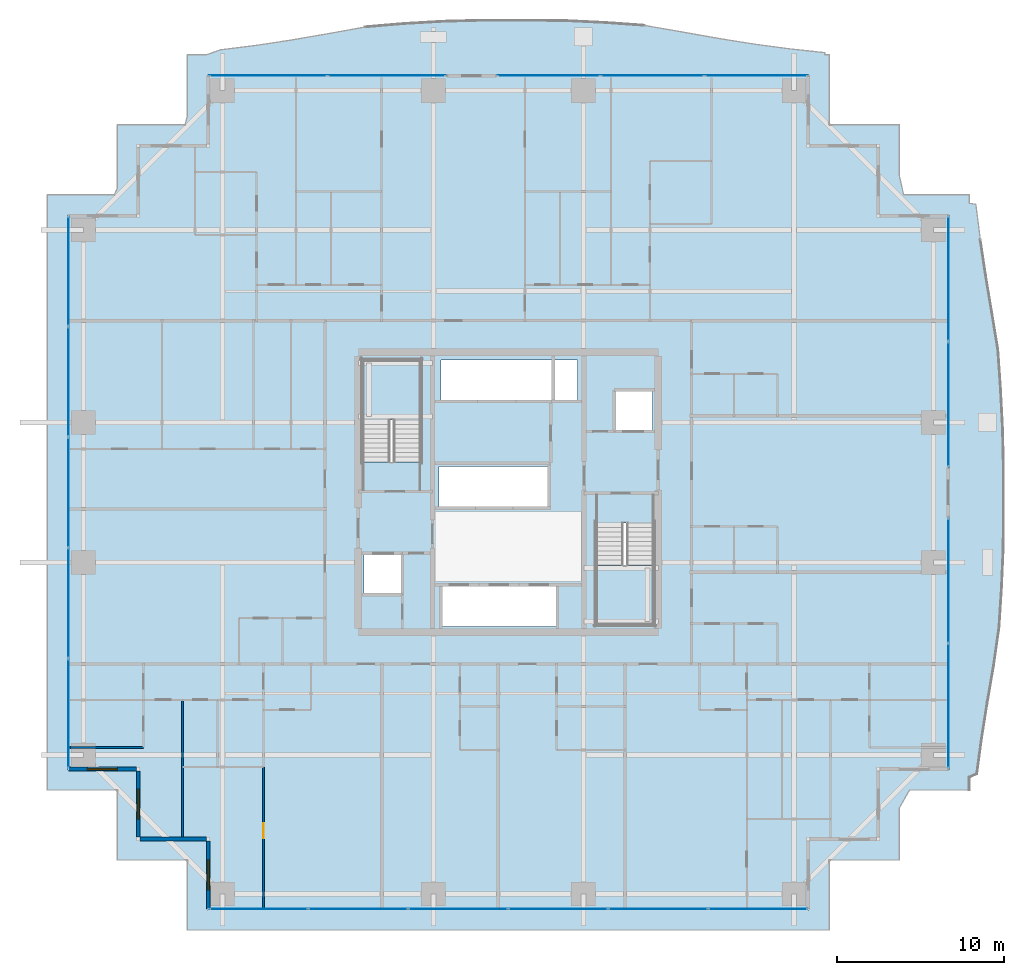
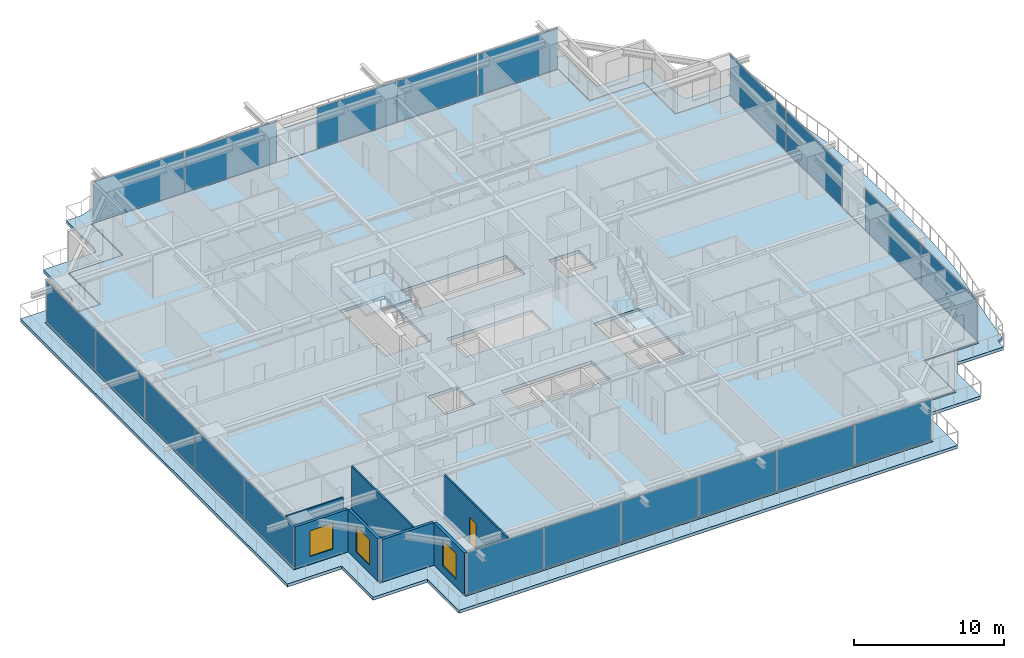
# One storey, part 26 of 38: 20 plates, 7 walls, 4 slabs, 3 windows, 1 door, 4 openings, 8 elements without a shape of their own.
"""IFC4 building model written with IfcOpenShell, lengths in metres."""

from ifc_helpers import new_model, si_unit, direction, frame, frame_2d, origin, origin_2d, place, context, subcontext, project, spatial, polyline, rectangle, outline, extrude, source, transform, mapped, material, layer, layer_set, type_object, element, fill, aggregate, save


model = new_model("IFC4")

# Units and contexts
model_context = context("Model", 3, precision=1e-05, world=origin(), true_north=direction((0.0, 1.0)))
body_context = subcontext(model_context, "Body", "Model", "MODEL_VIEW")
ifc_project = project(units=[si_unit("LENGTHUNIT", "METRE"), si_unit("AREAUNIT", "SQUARE_METRE"), si_unit("VOLUMEUNIT", "CUBIC_METRE"), si_unit("PLANEANGLEUNIT", "RADIAN"), si_unit("MASSUNIT", "GRAM", prefix="KILO")], contexts=[model_context])

# Site, building, storey
site_placement = place(None, origin())
site = spatial("IfcSite", under=ifc_project, at=site_placement, CompositionType="ELEMENT")
building_placement = place(site_placement, origin())
building = spatial("IfcBuilding", under=site, at=building_placement, Name="Serunith Strait Residences", CompositionType="ELEMENT")
storey_placement = place(building_placement, frame((0.0, 0.0, 67.949951171875)))
storey = spatial("IfcBuildingStorey", under=building, at=storey_placement, Name="L16", CompositionType="ELEMENT", Elevation=67.949951171875)

# Slab
ifc_material_1 = material(Name="Concrete C50/60", Category="concrete")
ifc_layer_1 = layer(ifc_material_1, 0.239990234375, Name="Concrete C50/60")
ifc_layer_set_1 = layer_set([ifc_layer_1], Name="Concrete C50/60")
slab_type_1 = type_object("IfcSlabType", Name="SLB-BALC-240", PredefinedType="FLOOR", material=ifc_layer_set_1)
slab_1_placement = place(storey_placement, frame((0.0, 0.0, -0.2900390625)))
element("IfcSlab", 1, at=slab_1_placement, inside=storey, type_object=slab_type_1, Name="L16 Planted Vertical-Forest Balcony Slab", PredefinedType="FLOOR", context=body_context, shape_type="SweptSolid", body=[
    extrude(outline(polyline([(13.003173828125, 47.260009765625), (13.139892578125, 47.773681640625), (13.139892578125, 51.4599609375), (14.3076171875, 51.4599609375), (15.1240234375, 51.751220703125), (17.247802734375, 52.017822265625), (19.389404296875, 52.343017578125), (21.56689453125, 52.71875), (23.800048828125, 53.12158203125), (26.1474609375, 53.322265625), (28.5380859375, 53.45751953125), (30.954833984375, 53.52001953125), (33.3828125, 53.52001953125), (35.80517578125, 53.497314453125), (38.20556640625, 53.382080078125), (40.57177734375, 53.21728515625), (42.82470703125, 52.8271484375), (45.01123046875, 52.43798828125), (47.15673828125, 52.095703125), (49.280517578125, 51.811279296875), (51.397216796875, 51.5849609375), (51.39599609375, 51.4599609375), (51.659912109375, 51.4599609375), (51.659912109375, 47.260009765625), (55.860107421875, 47.260009765625), (55.860107421875, 44.205322265625), (56.12060546875, 43.06005859375), (60.06005859375, 43.06005859375), (60.06005859375, 42.547607421875), (60.45166015625, 42.484375), (60.72509765625, 40.35498046875), (61.0498046875, 38.20458984375), (61.415771484375, 36.016845703125), (61.781982421875, 33.769775390625), (61.943603515625, 31.420166015625), (62.06640625, 29.039306640625), (62.1201171875, 26.63623046875), (62.1201171875, 24.223388671875), (62.103515625, 21.815185546875), (61.999755859375, 19.42578125), (61.85009765625, 17.06591796875), (61.522216796875, 14.7939453125), (61.145751953125, 12.596435546875), (60.8056640625, 10.44140625), (60.515869140625, 8.310791015625), (60.06005859375, 8.10302734375), (60.06005859375, 7.340087890625), (56.477294921875, 7.340087890625), (55.860107421875, 6.26220703125), (55.860107421875, 3.139892578125), (51.659912109375, 3.139892578125), (51.659912109375, -1.06005859375), (13.139892578125, -1.06005859375), (13.139892578125, 3.139892578125), (8.93994140625, 3.139892578125), (8.93994140625, 7.340087890625), (4.739990234375, 7.340087890625), (4.739990234375, 43.06005859375), (8.7587890625, 43.06005859375), (8.93994140625, 43.457763671875), (8.93994140625, 47.260009765625), (13.003173828125, 47.260009765625)]), holes=[polyline([(50.455078125, 0.14501953125), (50.455078125, 4.344970703125), (54.655029296875, 4.344970703125), (54.655029296875, 8.544921875), (58.85498046875, 8.544921875), (58.85498046875, 41.85498046875), (54.655029296875, 41.85498046875), (54.655029296875, 46.054931640625), (50.455078125, 46.054931640625), (50.455078125, 50.2548828125), (14.344970703125, 50.2548828125), (14.344970703125, 46.054931640625), (10.14501953125, 46.054931640625), (10.14501953125, 41.85498046875), (5.945068359375, 41.85498046875), (5.945068359375, 8.544921875), (10.14501953125, 8.544921875), (10.14501953125, 4.344970703125), (14.344970703125, 4.344970703125), (14.344970703125, 0.14501953125), (50.455078125, 0.14501953125)])]), origin(), (0.0, 0.0, 1.0), 0.239990234375),
])

# Stair, slab
stair_type_1 = type_object("IfcStairType", Name="STR-CORE-1", PredefinedType="HALF_TURN_STAIR", material=ifc_material_1)
stair_1_placement = place(storey_placement, origin())
stair_1 = element("IfcStair", 2, at=stair_1_placement, inside=storey, type_object=stair_type_1, Name="L16 Protected Escape Stair ST-1", PredefinedType="HALF_TURN_STAIR")
ifc_layer_2 = layer(ifc_material_1, 0.199951171875, Name="Concrete C50/60")
ifc_layer_set_2 = layer_set([ifc_layer_2], Name="Concrete C50/60")
slab_type_2 = type_object("IfcSlabType", Name="SLB-LAND-200", PredefinedType="LANDING", material=ifc_layer_set_2)
slab_2_placement = place(storey_placement, frame((0.0, 0.0, 1.675048828125)))
slab_2 = element("IfcSlab", 3, at=slab_2_placement, type_object=slab_type_2, Name="ST-1 landing 1", PredefinedType="LANDING", context=body_context, shape_type="SweptSolid", body=[
    extrude(outline(polyline([(27.14990234375, 29.550048828125), (27.14990234375, 33.14990234375), (23.64990234375, 33.14990234375), (23.64990234375, 29.550048828125), (27.14990234375, 29.550048828125)])), origin(), (0.0, 0.0, 1.0), 0.199951171875),
])
aggregate(stair_1, [slab_2])

stair_type_2 = type_object("IfcStairType", Name="STR-CORE-2", PredefinedType="HALF_TURN_STAIR", material=ifc_material_1)
stair_2_placement = place(storey_placement, origin())
stair_2 = element("IfcStair", 4, at=stair_2_placement, inside=storey, type_object=stair_type_2, Name="L16 Protected Escape Stair ST-2", PredefinedType="HALF_TURN_STAIR")
slab_3_placement = place(storey_placement, frame((0.0, 0.0, 1.675048828125)))
slab_3 = element("IfcSlab", 5, at=slab_3_placement, type_object=slab_type_2, Name="ST-2 landing 1", PredefinedType="LANDING", context=body_context, shape_type="SweptSolid", body=[
    extrude(outline(polyline([(37.64990234375, 20.85009765625), (37.64990234375, 17.25), (41.14990234375, 17.25), (41.14990234375, 20.85009765625), (37.64990234375, 20.85009765625)])), origin(), (0.0, 0.0, 1.0), 0.199951171875),
])
aggregate(stair_2, [slab_3])

# Slab
ifc_material_2 = material(Name="Concrete C60/75", Category="concrete")
ifc_layer_3 = layer(ifc_material_2, 0.260009765625, Name="Concrete C60/75")
ifc_layer_set_3 = layer_set([ifc_layer_3], Name="Concrete C60/75")
slab_type_3 = type_object("IfcSlabType", Name="SLB-TWR-260-Z1", PredefinedType="FLOOR", material=ifc_layer_set_3)
slab_4_placement = place(storey_placement, frame((0.0, 0.0, -0.260009765625)))
element("IfcSlab", 6, at=slab_4_placement, inside=storey, type_object=slab_type_3, Name="L16 Structural Floor Plate", PredefinedType="FLOOR", context=body_context, shape_type="SweptSolid", body=[
    extrude(outline(polyline([(14.39990234375, 4.39990234375), (10.199951171875, 4.39990234375), (10.199951171875, 8.60009765625), (6.0, 8.60009765625), (6.0, 41.800048828125), (10.199951171875, 41.800048828125), (10.199951171875, 46.0), (14.39990234375, 46.0), (14.39990234375, 50.199951171875), (50.39990234375, 50.199951171875), (50.39990234375, 46.0), (54.60009765625, 46.0), (54.60009765625, 41.800048828125), (58.800048828125, 41.800048828125), (58.800048828125, 8.60009765625), (54.60009765625, 8.60009765625), (54.60009765625, 4.39990234375), (50.39990234375, 4.39990234375), (50.39990234375, 0.199951171875), (14.39990234375, 0.199951171875), (14.39990234375, 4.39990234375)]), holes=[polyline([(41.14990234375, 17.25), (41.14990234375, 23.3701171875), (37.64990234375, 23.3701171875), (37.64990234375, 17.25), (41.14990234375, 17.25)]), polyline([(41.050048828125, 31.25), (38.75, 31.25), (38.75, 28.85009765625), (41.050048828125, 28.85009765625), (41.050048828125, 31.25)]), polyline([(36.550048828125, 33.14990234375), (28.35009765625, 33.14990234375), (28.35009765625, 30.64990234375), (36.550048828125, 30.64990234375), (36.550048828125, 33.14990234375)]), polyline([(28.35009765625, 19.64990234375), (28.35009765625, 17.14990234375), (35.35009765625, 17.14990234375), (35.35009765625, 19.64990234375), (28.35009765625, 19.64990234375)]), polyline([(34.85009765625, 26.75), (28.25, 26.75), (28.25, 24.25), (34.85009765625, 24.25), (34.85009765625, 26.75)]), polyline([(23.64990234375, 33.14990234375), (23.64990234375, 27.030029296875), (27.14990234375, 27.030029296875), (27.14990234375, 33.14990234375), (23.64990234375, 33.14990234375)]), polyline([(26.050048828125, 21.550048828125), (23.75, 21.550048828125), (23.75, 19.14990234375), (26.050048828125, 19.14990234375), (26.050048828125, 21.550048828125)])]), origin(), (0.0, 0.0, 1.0), 0.260009765625),
])

# Curtain wall, plates
ifc_material_3 = material(Name="Pale-Champagne Anodised Aluminium", Category="aluminium")
ifc_layer_4 = layer(ifc_material_3, 0.199951171875, Name="Pale-Champagne Anodised Aluminium")
ifc_layer_set_4 = layer_set([ifc_layer_4], Name="Pale-Champagne Anodised Aluminium")
curtain_wall_type = type_object("IfcCurtainWallType", Name="CW-SYS1", PredefinedType="NOTDEFINED", material=ifc_layer_set_4)
curtain_wall_1_placement = place(storey_placement, origin())
curtain_wall_1 = element("IfcCurtainWall", 7, at=curtain_wall_1_placement, inside=storey, type_object=curtain_wall_type, Name="L16 S Unitised Fritted Curtain Wall", PredefinedType="NOTDEFINED")
ifc_material_4 = material(Name="Ceramic-Fritted Low-E Double Glazing 28mm", Category="glass")
ifc_layer_5 = layer(ifc_material_4, 0.028076171875, Name="Ceramic-Fritted Low-E Double Glazing 28mm")
ifc_layer_set_5 = layer_set([ifc_layer_5], Name="Ceramic-Fritted Low-E Double Glazing 28mm")
plate_type = type_object("IfcPlateType", Name="CW-SYS1-PNL", PredefinedType="CURTAIN_PANEL", material=ifc_layer_set_5)
shared_shape_1 = source(origin(), body_context, "Body", "SweptSolid", [
    extrude(rectangle(XDim=5.89501953125, YDim=0.028076171875, at=origin_2d()), origin(), (0.0, 0.0, 1.0), 3.35498046875),
])
plate_1_placement = place(storey_placement, frame((17.41748046875, 0.199951171875, 0.06005859375), z_axis=(0.0, 0.0, 1.0), x_axis=(1.0, 0.0, 0.0)))
plate_1 = element("IfcPlate", 8, at=plate_1_placement, type_object=plate_type, Name="CW-1 panel 1.1", PredefinedType="CURTAIN_PANEL", context=body_context, shape_type="MappedRepresentation", body=[
    mapped(shared_shape_1, transform((0.0, 0.0, 0.0), scale=1.0)),
])
plate_2_placement = place(storey_placement, frame((47.382568359375, 0.199951171875, 0.06005859375), z_axis=(0.0, 0.0, 1.0), x_axis=(1.0, 0.0, 0.0)))
plate_2 = element("IfcPlate", 9, at=plate_2_placement, type_object=plate_type, Name="CW-1 panel 6.1", PredefinedType="CURTAIN_PANEL", context=body_context, shape_type="MappedRepresentation", body=[
    mapped(shared_shape_1, transform((0.0, 0.0, 0.0), scale=1.0)),
])
shared_shape_2 = source(origin(), body_context, "Body", "SweptSolid", [
    extrude(rectangle(XDim=5.929931640625, YDim=0.028076171875, at=origin_2d()), origin(), (0.0, 0.0, 1.0), 3.35498046875),
])
plate_3_placement = place(storey_placement, frame((23.39990234375, 0.199951171875, 0.06005859375), z_axis=(0.0, 0.0, 1.0), x_axis=(1.0, 0.0, 0.0)))
plate_3 = element("IfcPlate", 10, at=plate_3_placement, type_object=plate_type, Name="CW-1 panel 2.1", PredefinedType="CURTAIN_PANEL", context=body_context, shape_type="MappedRepresentation", body=[
    mapped(shared_shape_2, transform((0.0, 0.0, 0.0), scale=1.0)),
])
plate_4_placement = place(storey_placement, frame((29.39990234375, 0.199951171875, 0.06005859375), z_axis=(0.0, 0.0, 1.0), x_axis=(1.0, 0.0, 0.0)))
plate_4 = element("IfcPlate", 11, at=plate_4_placement, type_object=plate_type, Name="CW-1 panel 3.1", PredefinedType="CURTAIN_PANEL", context=body_context, shape_type="MappedRepresentation", body=[
    mapped(shared_shape_2, transform((0.0, 0.0, 0.0), scale=1.0)),
])
plate_5_placement = place(storey_placement, frame((35.39990234375, 0.199951171875, 0.06005859375), z_axis=(0.0, 0.0, 1.0), x_axis=(1.0, 0.0, 0.0)))
plate_5 = element("IfcPlate", 12, at=plate_5_placement, type_object=plate_type, Name="CW-1 panel 4.1", PredefinedType="CURTAIN_PANEL", context=body_context, shape_type="MappedRepresentation", body=[
    mapped(shared_shape_2, transform((0.0, 0.0, 0.0), scale=1.0)),
])
plate_6_placement = place(storey_placement, frame((41.39990234375, 0.199951171875, 0.06005859375), z_axis=(0.0, 0.0, 1.0), x_axis=(1.0, 0.0, 0.0)))
plate_6 = element("IfcPlate", 13, at=plate_6_placement, type_object=plate_type, Name="CW-1 panel 5.1", PredefinedType="CURTAIN_PANEL", context=body_context, shape_type="MappedRepresentation", body=[
    mapped(shared_shape_2, transform((0.0, 0.0, 0.0), scale=1.0)),
])
aggregate(curtain_wall_1, [plate_1, plate_3, plate_4, plate_5, plate_6, plate_2])

curtain_wall_2_placement = place(storey_placement, origin())
curtain_wall_2 = element("IfcCurtainWall", 14, at=curtain_wall_2_placement, inside=storey, type_object=curtain_wall_type, Name="L16 E Unitised Fritted Curtain Wall", PredefinedType="NOTDEFINED")
shared_shape_3 = source(origin(), body_context, "Body", "SweptSolid", [
    extrude(rectangle(XDim=7.445068359375, YDim=0.028076171875, at=origin_2d()), origin(), (0.0, 0.0, 1.0), 3.35498046875),
])
plate_7_placement = place(storey_placement, frame((58.800048828125, 12.392578125, 0.06005859375), z_axis=(0.0, 0.0, 1.0), x_axis=(0.0, 1.0, 0.0)))
plate_7 = element("IfcPlate", 15, at=plate_7_placement, type_object=plate_type, Name="CW-1 panel 1.1", PredefinedType="CURTAIN_PANEL", context=body_context, shape_type="MappedRepresentation", body=[
    mapped(shared_shape_3, transform((0.0, 0.0, 0.0), scale=1.0)),
])
plate_8_placement = place(storey_placement, frame((58.800048828125, 19.907470703125, 0.06005859375), z_axis=(0.0, 0.0, 1.0), x_axis=(0.0, 1.0, 0.0)))
plate_8 = element("IfcPlate", 16, at=plate_8_placement, type_object=plate_type, Name="CW-1 panel 2.1", PredefinedType="CURTAIN_PANEL", context=body_context, shape_type="MappedRepresentation", body=[
    mapped(shared_shape_3, transform((0.0, 0.0, 0.0), scale=1.0)),
])
aggregate(curtain_wall_2, [plate_7, plate_8])

curtain_wall_3_placement = place(storey_placement, origin())
curtain_wall_3 = element("IfcCurtainWall", 17, at=curtain_wall_3_placement, inside=storey, type_object=curtain_wall_type, Name="L16 E Unitised Fritted Curtain Wall", PredefinedType="NOTDEFINED")
plate_9_placement = place(storey_placement, frame((58.800048828125, 30.492431640625, 0.06005859375), z_axis=(0.0, 0.0, 1.0), x_axis=(0.0, 1.0, 0.0)))
plate_9 = element("IfcPlate", 18, at=plate_9_placement, type_object=plate_type, Name="CW-1 panel 1.1", PredefinedType="CURTAIN_PANEL", context=body_context, shape_type="MappedRepresentation", body=[
    mapped(shared_shape_3, transform((0.0, 0.0, 0.0), scale=1.0)),
])
plate_10_placement = place(storey_placement, frame((58.800048828125, 38.007568359375, 0.06005859375), z_axis=(0.0, 0.0, 1.0), x_axis=(0.0, 1.0, 0.0)))
plate_10 = element("IfcPlate", 19, at=plate_10_placement, type_object=plate_type, Name="CW-1 panel 2.1", PredefinedType="CURTAIN_PANEL", context=body_context, shape_type="MappedRepresentation", body=[
    mapped(shared_shape_3, transform((0.0, 0.0, 0.0), scale=1.0)),
])
aggregate(curtain_wall_3, [plate_9, plate_10])

curtain_wall_4_placement = place(storey_placement, origin())
curtain_wall_4 = element("IfcCurtainWall", 20, at=curtain_wall_4_placement, inside=storey, type_object=curtain_wall_type, Name="L16 W Unitised Fritted Curtain Wall", PredefinedType="NOTDEFINED")
shared_shape_4 = source(origin(), body_context, "Body", "SweptSolid", [
    extrude(rectangle(XDim=6.534912109375, YDim=0.028076171875, at=origin_2d()), origin(), (0.0, 0.0, 1.0), 3.35498046875),
])
plate_11_placement = place(storey_placement, frame((6.0, 38.46240234375, 0.06005859375), z_axis=(0.0, 0.0, 1.0), x_axis=(0.0, -1.0, 0.0)))
plate_11 = element("IfcPlate", 21, at=plate_11_placement, type_object=plate_type, Name="CW-1 panel 1.1", PredefinedType="CURTAIN_PANEL", context=body_context, shape_type="MappedRepresentation", body=[
    mapped(shared_shape_4, transform((0.0, 0.0, 0.0), scale=1.0)),
])
plate_12_placement = place(storey_placement, frame((6.0, 11.9375, 0.06005859375), z_axis=(0.0, 0.0, 1.0), x_axis=(0.0, -1.0, 0.0)))
plate_12 = element("IfcPlate", 22, at=plate_12_placement, type_object=plate_type, Name="CW-1 panel 5.1", PredefinedType="CURTAIN_PANEL", context=body_context, shape_type="MappedRepresentation", body=[
    mapped(shared_shape_4, transform((0.0, 0.0, 0.0), scale=1.0)),
])
shared_shape_5 = source(origin(), body_context, "Body", "SweptSolid", [
    extrude(rectangle(XDim=6.570068359375, YDim=0.028076171875, at=origin_2d()), origin(), (0.0, 0.0, 1.0), 3.35498046875),
])
plate_13_placement = place(storey_placement, frame((6.0, 31.840087890625, 0.06005859375), z_axis=(0.0, 0.0, 1.0), x_axis=(0.0, -1.0, 0.0)))
plate_13 = element("IfcPlate", 23, at=plate_13_placement, type_object=plate_type, Name="CW-1 panel 2.1", PredefinedType="CURTAIN_PANEL", context=body_context, shape_type="MappedRepresentation", body=[
    mapped(shared_shape_5, transform((0.0, 0.0, 0.0), scale=1.0)),
])
plate_14_placement = place(storey_placement, frame((6.0, 25.199951171875, 0.06005859375), z_axis=(0.0, 0.0, 1.0), x_axis=(0.0, -1.0, 0.0)))
plate_14 = element("IfcPlate", 24, at=plate_14_placement, type_object=plate_type, Name="CW-1 panel 3.1", PredefinedType="CURTAIN_PANEL", context=body_context, shape_type="MappedRepresentation", body=[
    mapped(shared_shape_5, transform((0.0, 0.0, 0.0), scale=1.0)),
])
plate_15_placement = place(storey_placement, frame((6.0, 18.56005859375, 0.06005859375), z_axis=(0.0, 0.0, 1.0), x_axis=(0.0, -1.0, 0.0)))
plate_15 = element("IfcPlate", 25, at=plate_15_placement, type_object=plate_type, Name="CW-1 panel 4.1", PredefinedType="CURTAIN_PANEL", context=body_context, shape_type="MappedRepresentation", body=[
    mapped(shared_shape_5, transform((0.0, 0.0, 0.0), scale=1.0)),
])
aggregate(curtain_wall_4, [plate_11, plate_13, plate_14, plate_15, plate_12])

curtain_wall_5_placement = place(storey_placement, origin())
curtain_wall_5 = element("IfcCurtainWall", 26, at=curtain_wall_5_placement, inside=storey, type_object=curtain_wall_type, Name="L16 N Unitised Fritted Curtain Wall", PredefinedType="NOTDEFINED")
shared_shape_6 = source(origin(), body_context, "Body", "SweptSolid", [
    extrude(rectangle(XDim=7.044921875, YDim=0.028076171875, at=origin_2d()), origin(), (0.0, 0.0, 1.0), 3.35498046875),
])
plate_16_placement = place(storey_placement, frame((25.107421875, 50.199951171875, 0.06005859375), z_axis=(0.0, 0.0, 1.0), x_axis=(-1.0, 0.0, 0.0)))
plate_16 = element("IfcPlate", 27, at=plate_16_placement, type_object=plate_type, Name="CW-1 panel 1.1", PredefinedType="CURTAIN_PANEL", context=body_context, shape_type="MappedRepresentation", body=[
    mapped(shared_shape_6, transform((0.0, 0.0, 0.0), scale=1.0)),
])
plate_17_placement = place(storey_placement, frame((17.992431640625, 50.199951171875, 0.06005859375), z_axis=(0.0, 0.0, 1.0), x_axis=(-1.0, 0.0, 0.0)))
plate_17 = element("IfcPlate", 28, at=plate_17_placement, type_object=plate_type, Name="CW-1 panel 2.1", PredefinedType="CURTAIN_PANEL", context=body_context, shape_type="MappedRepresentation", body=[
    mapped(shared_shape_6, transform((0.0, 0.0, 0.0), scale=1.0)),
])
aggregate(curtain_wall_5, [plate_16, plate_17])

curtain_wall_6_placement = place(storey_placement, origin())
curtain_wall_6 = element("IfcCurtainWall", 29, at=curtain_wall_6_placement, inside=storey, type_object=curtain_wall_type, Name="L16 N Unitised Fritted Curtain Wall", PredefinedType="NOTDEFINED")
shared_shape_7 = source(origin(), body_context, "Body", "SweptSolid", [
    extrude(rectangle(XDim=6.12841796875, YDim=0.028076171875, at=origin_2d()), origin(), (0.0, 0.0, 1.0), 3.35498046875),
])
plate_18_placement = place(storey_placement, frame((47.265869140625, 50.199951171875, 0.06005859375), z_axis=(0.0, 0.0, 1.0), x_axis=(-1.0, 0.0, 0.0)))
plate_18 = element("IfcPlate", 30, at=plate_18_placement, type_object=plate_type, Name="CW-1 panel 1.1", PredefinedType="CURTAIN_PANEL", context=body_context, shape_type="MappedRepresentation", body=[
    mapped(shared_shape_7, transform((0.0, 0.0, 0.0), scale=1.0)),
])
plate_19_placement = place(storey_placement, frame((34.834228515625, 50.199951171875, 0.06005859375), z_axis=(0.0, 0.0, 1.0), x_axis=(-1.0, 0.0, 0.0)))
plate_19 = element("IfcPlate", 31, at=plate_19_placement, type_object=plate_type, Name="CW-1 panel 3.1", PredefinedType="CURTAIN_PANEL", context=body_context, shape_type="MappedRepresentation", body=[
    mapped(shared_shape_7, transform((0.0, 0.0, 0.0), scale=1.0)),
])
shared_shape_8 = source(origin(), body_context, "Body", "SweptSolid", [
    extrude(rectangle(XDim=6.163330078125, YDim=0.028076171875, at=origin_2d()), origin(), (0.0, 0.0, 1.0), 3.35498046875),
])
plate_20_placement = place(storey_placement, frame((41.050048828125, 50.199951171875, 0.06005859375), z_axis=(0.0, 0.0, 1.0), x_axis=(-1.0, 0.0, 0.0)))
plate_20 = element("IfcPlate", 32, at=plate_20_placement, type_object=plate_type, Name="CW-1 panel 2.1", PredefinedType="CURTAIN_PANEL", context=body_context, shape_type="MappedRepresentation", body=[
    mapped(shared_shape_8, transform((0.0, 0.0, 0.0), scale=1.0)),
])
aggregate(curtain_wall_6, [plate_18, plate_20, plate_19])

# Wall, opening, window
ifc_material_5 = material(Name="Pale-Champagne Aluminium Insulated Panel", Category="aluminium")
ifc_layer_6 = layer(ifc_material_5, 0.219970703125, Name="Pale-Champagne Aluminium Insulated Panel")
ifc_layer_set_6 = layer_set([ifc_layer_6], Name="Pale-Champagne Aluminium Insulated Panel")
wall_type_1 = type_object("IfcWallType", Name="EW-ALUM-220", PredefinedType="ELEMENTEDWALL", material=ifc_layer_set_6)
wall_1_placement = place(storey_placement, frame((6.0, 8.60009765625, 0.0), z_axis=(0.0, 0.0, 1.0), x_axis=(1.0, 0.0, 0.0)))
wall_1 = element("IfcWall", 33, at=wall_1_placement, inside=storey, type_object=wall_type_1, Name="L16 Girih Serrated Corner Wall 17", PredefinedType="ELEMENTEDWALL", context=body_context, shape_type="SweptSolid", body=[
    extrude(rectangle(XDim=4.090087890625, YDim=0.219970703125, at=frame_2d((2.044921875, 0.0))), origin(), (0.0, 0.0, 1.0), 3.47509765625),
])
opening_1_placement = place(wall_1_placement, frame((1.14501953125, 0.0, 0.64990234375)))
opening_1 = element("IfcOpeningElement", 34, at=opening_1_placement, cuts=wall_1, Name="Opening W-01", PredefinedType="OPENING", context=body_context, shape_type="SweptSolid", body=[
    extrude(rectangle(XDim=1.800048828125, YDim=2.10009765625, at=frame_2d((0.89990234375, 1.050048828125))), frame((0.0, 0.1201171875, 0.0), z_axis=(0.0, -1.0, 0.0), x_axis=(1.0, 0.0, 0.0)), (0.0, 0.0, 1.0), 0.239990234375),
])
ifc_material_6 = material(Name="Ceramic-Fritted Operable Aluminium Window Glass", Category="aluminium")
window_type = type_object("IfcWindowType", Name="WIN-C1", PartitioningType="DOUBLE_PANEL_VERTICAL", PredefinedType="WINDOW", material=ifc_material_6)
shared_shape_9 = source(origin(), body_context, "Body", "SweptSolid", [
    extrude(rectangle(XDim=1.800048828125, YDim=2.10009765625, at=frame_2d((0.89990234375, 1.050048828125))), frame((0.0, 0.030029296875, 0.0), z_axis=(0.0, -1.0, 0.0), x_axis=(1.0, 0.0, 0.0)), (0.0, 0.0, 1.0), 0.06005859375),
])
window_1_placement = place(opening_1_placement, origin())
window_1 = element("IfcWindow", 35, at=window_1_placement, inside=storey, type_object=window_type, Name="L16 Corner Operable Fritted Window 17", OverallHeight=2.10009765625, OverallWidth=1.800048828125, PartitioningType="SINGLE_PANEL", PredefinedType="WINDOW", context=body_context, shape_type="MappedRepresentation", body=[
    mapped(shared_shape_9, transform((0.0, 0.0, 0.0), scale=1.0)),
])
fill(opening_1, window_1)

wall_2_placement = place(storey_placement, frame((10.199951171875, 8.489990234375, 0.0), z_axis=(0.0, 0.0, 1.0), x_axis=(0.0, -1.0, 0.0)))
wall_2 = element("IfcWall", 36, at=wall_2_placement, inside=storey, type_object=wall_type_1, Name="L16 Girih Serrated Corner Wall 18", PredefinedType="ELEMENTEDWALL", context=body_context, shape_type="SweptSolid", body=[
    extrude(rectangle(XDim=3.97998046875, YDim=0.219970703125, at=frame_2d((1.989990234375, 0.0))), origin(), (0.0, 0.0, 1.0), 3.47509765625),
])
opening_2_placement = place(wall_2_placement, frame((1.090087890625, 0.0, 0.64990234375)))
opening_2 = element("IfcOpeningElement", 37, at=opening_2_placement, cuts=wall_2, Name="Opening W-01", PredefinedType="OPENING", context=body_context, shape_type="SweptSolid", body=[
    extrude(rectangle(XDim=1.800048828125, YDim=2.10009765625, at=frame_2d((0.89990234375, 1.050048828125))), frame((0.0, 0.1201171875, 0.0), z_axis=(0.0, -1.0, 0.0), x_axis=(1.0, 0.0, 0.0)), (0.0, 0.0, 1.0), 0.239990234375),
])
window_2_placement = place(opening_2_placement, origin())
window_2 = element("IfcWindow", 38, at=window_2_placement, inside=storey, type_object=window_type, Name="L16 Corner Operable Fritted Window 18", OverallHeight=2.10009765625, OverallWidth=1.800048828125, PartitioningType="SINGLE_PANEL", PredefinedType="WINDOW", context=body_context, shape_type="MappedRepresentation", body=[
    mapped(shared_shape_9, transform((0.0, 0.0, 0.0), scale=1.0)),
])
fill(opening_2, window_2)

# Wall
wall_3_placement = place(storey_placement, frame((10.31005859375, 4.39990234375, 0.0), z_axis=(0.0, 0.0, 1.0), x_axis=(1.0, 0.0, 0.0)))
element("IfcWall", 39, at=wall_3_placement, inside=storey, type_object=wall_type_1, Name="L16 Girih Serrated Corner Wall 19", PredefinedType="ELEMENTEDWALL", context=body_context, shape_type="SweptSolid", body=[
    extrude(rectangle(XDim=3.97998046875, YDim=0.219970703125, at=frame_2d((1.989990234375, 0.0))), origin(), (0.0, 0.0, 1.0), 3.47509765625),
])

# Wall, opening, window
wall_4_placement = place(storey_placement, frame((14.39990234375, 4.2900390625, 0.0), z_axis=(0.0, 0.0, 1.0), x_axis=(0.0, -1.0, 0.0)))
wall_4 = element("IfcWall", 40, at=wall_4_placement, inside=storey, type_object=wall_type_1, Name="L16 Girih Serrated Corner Wall 20", PredefinedType="ELEMENTEDWALL", context=body_context, shape_type="SweptSolid", body=[
    extrude(rectangle(XDim=4.090087890625, YDim=0.219970703125, at=frame_2d((2.044921875, 0.0))), origin(), (0.0, 0.0, 1.0), 3.47509765625),
])
opening_3_placement = place(wall_4_placement, frame((1.14501953125, 0.0, 0.64990234375)))
opening_3 = element("IfcOpeningElement", 41, at=opening_3_placement, cuts=wall_4, Name="Opening W-01", PredefinedType="OPENING", context=body_context, shape_type="SweptSolid", body=[
    extrude(rectangle(XDim=1.800048828125, YDim=2.10009765625, at=frame_2d((0.89990234375, 1.050048828125))), frame((0.0, 0.1201171875, 0.0), z_axis=(0.0, -1.0, 0.0), x_axis=(1.0, 0.0, 0.0)), (0.0, 0.0, 1.0), 0.239990234375),
])
window_3_placement = place(opening_3_placement, origin())
window_3 = element("IfcWindow", 42, at=window_3_placement, inside=storey, type_object=window_type, Name="L16 Corner Operable Fritted Window 20", OverallHeight=2.10009765625, OverallWidth=1.800048828125, PartitioningType="SINGLE_PANEL", PredefinedType="WINDOW", context=body_context, shape_type="MappedRepresentation", body=[
    mapped(shared_shape_9, transform((0.0, 0.0, 0.0), scale=1.0)),
])
fill(opening_3, window_3)

# Wall, opening, door
ifc_material_7 = material(Name="Lightweight steel-stud gypsum partition", Category="steel")
ifc_layer_7 = layer(ifc_material_7, 0.1201171875, Name="Lightweight steel-stud gypsum partition")
ifc_layer_set_7 = layer_set([ifc_layer_7], Name="Lightweight steel-stud gypsum partition")
wall_type_2 = type_object("IfcWallType", Name="IW-PART-120", PredefinedType="PARTITIONING", material=ifc_layer_set_7)
wall_5_placement = place(storey_placement, frame((17.7099609375, 0.294921875, 0.0), z_axis=(0.0, 0.0, 1.0), x_axis=(0.0, 1.0, 0.0)))
wall_5 = element("IfcWall", 43, at=wall_5_placement, inside=storey, type_object=wall_type_2, Name="L16 Partition Wall 031", PredefinedType="PARTITIONING", context=body_context, shape_type="SweptSolid", body=[
    extrude(rectangle(XDim=8.43798828125, YDim=0.1201171875, at=frame_2d((4.218994140625, 0.0))), origin(), (0.0, 0.0, 1.0), 3.489990234375),
])
opening_4_placement = place(wall_5_placement, frame((4.14599609375, 0.0, 0.0)))
opening_4 = element("IfcOpeningElement", 44, at=opening_4_placement, cuts=wall_5, Name="Opening D-RM900", PredefinedType="OPENING", context=body_context, shape_type="SweptSolid", body=[
    extrude(rectangle(XDim=0.89990234375, YDim=2.10009765625, at=frame_2d((0.449951171875, 1.050048828125))), frame((0.0, 0.070068359375, 0.0), z_axis=(0.0, -1.0, 0.0), x_axis=(1.0, 0.0, 0.0)), (0.0, 0.0, 1.0), 0.14013671875),
])
ifc_material_8 = material(Name="Engineered timber flush bedroom door", Category="wood")
door_type = type_object("IfcDoorType", Name="ID-ROOM-900", OperationType="NOTDEFINED", PredefinedType="DOOR", material=ifc_material_8)
shared_shape_10 = source(origin(), body_context, "Body", "SweptSolid", [
    extrude(rectangle(XDim=0.89990234375, YDim=2.10009765625, at=frame_2d((0.449951171875, 1.050048828125))), frame((0.0, 0.02490234375, 0.0), z_axis=(0.0, -1.0, 0.0), x_axis=(1.0, 0.0, 0.0)), (0.0, 0.0, 1.0), 0.050048828125),
])
door_placement = place(opening_4_placement, origin())
door = element("IfcDoor", 45, at=door_placement, inside=storey, type_object=door_type, Name="L16 Formal Dining Room 1 1601 Door", OperationType="SINGLE_SWING_RIGHT", OverallHeight=2.10009765625, OverallWidth=0.89990234375, PredefinedType="DOOR", context=body_context, shape_type="MappedRepresentation", body=[
    mapped(shared_shape_10, transform((0.0, 0.0, 0.0), scale=1.0)),
])
fill(opening_4, door)

# Walls
wall_6_placement = place(storey_placement, frame((12.860107421875, 4.4951171875, 0.0), z_axis=(0.0, 0.0, 1.0), x_axis=(0.0, 1.0, 0.0)))
element("IfcWall", 46, at=wall_6_placement, inside=storey, type_object=wall_type_2, Name="L16 Partition Wall 034", PredefinedType="PARTITIONING", context=body_context, shape_type="SweptSolid", body=[
    extrude(rectangle(XDim=8.2548828125, YDim=0.1201171875, at=frame_2d((4.12744140625, 0.0))), origin(), (0.0, 0.0, 1.0), 3.489990234375),
])
wall_7_placement = place(storey_placement, frame((6.094970703125, 9.89404296875, 0.0), z_axis=(0.0, 0.0, 1.0), x_axis=(1.0, 0.0, 0.0)))
element("IfcWall", 47, at=wall_7_placement, inside=storey, type_object=wall_type_2, Name="L16 Partition Wall 039", PredefinedType="PARTITIONING", context=body_context, shape_type="SweptSolid", body=[
    extrude(rectangle(XDim=4.4150390625, YDim=0.1201171875, at=frame_2d((2.20751953125, 0.0))), origin(), (0.0, 0.0, 1.0), 3.489990234375),
])

save(model, "model.ifc")
